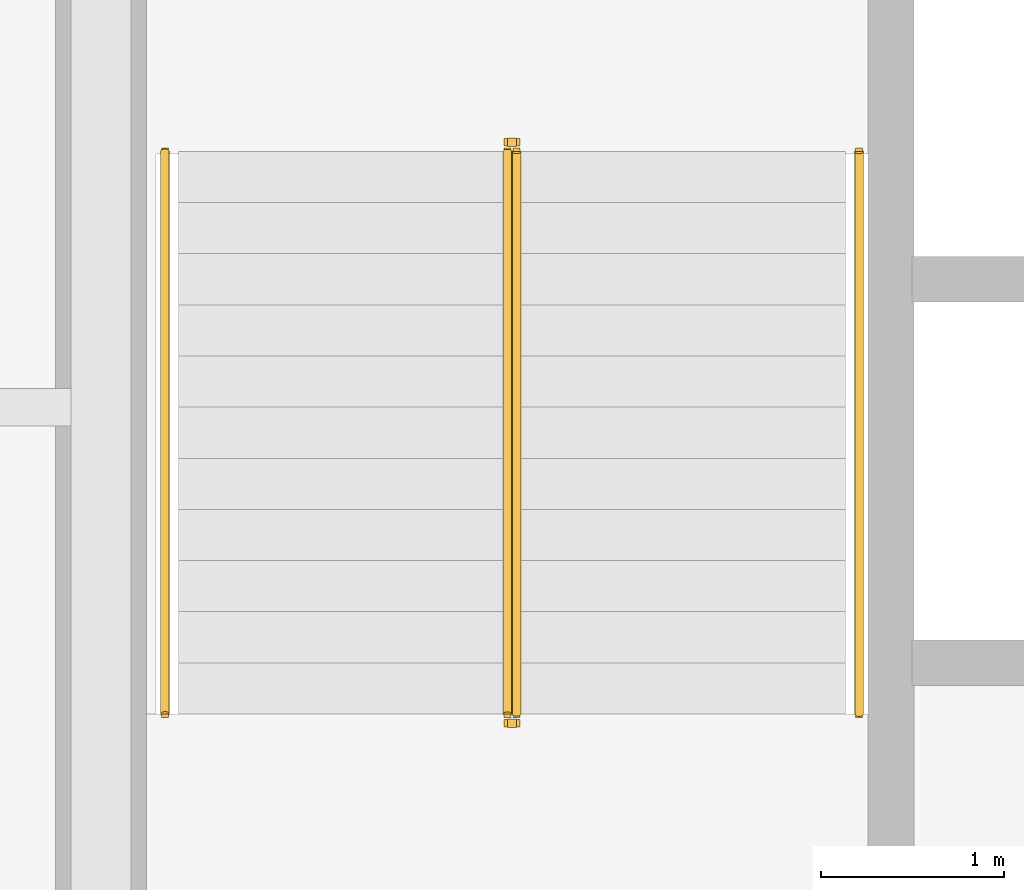
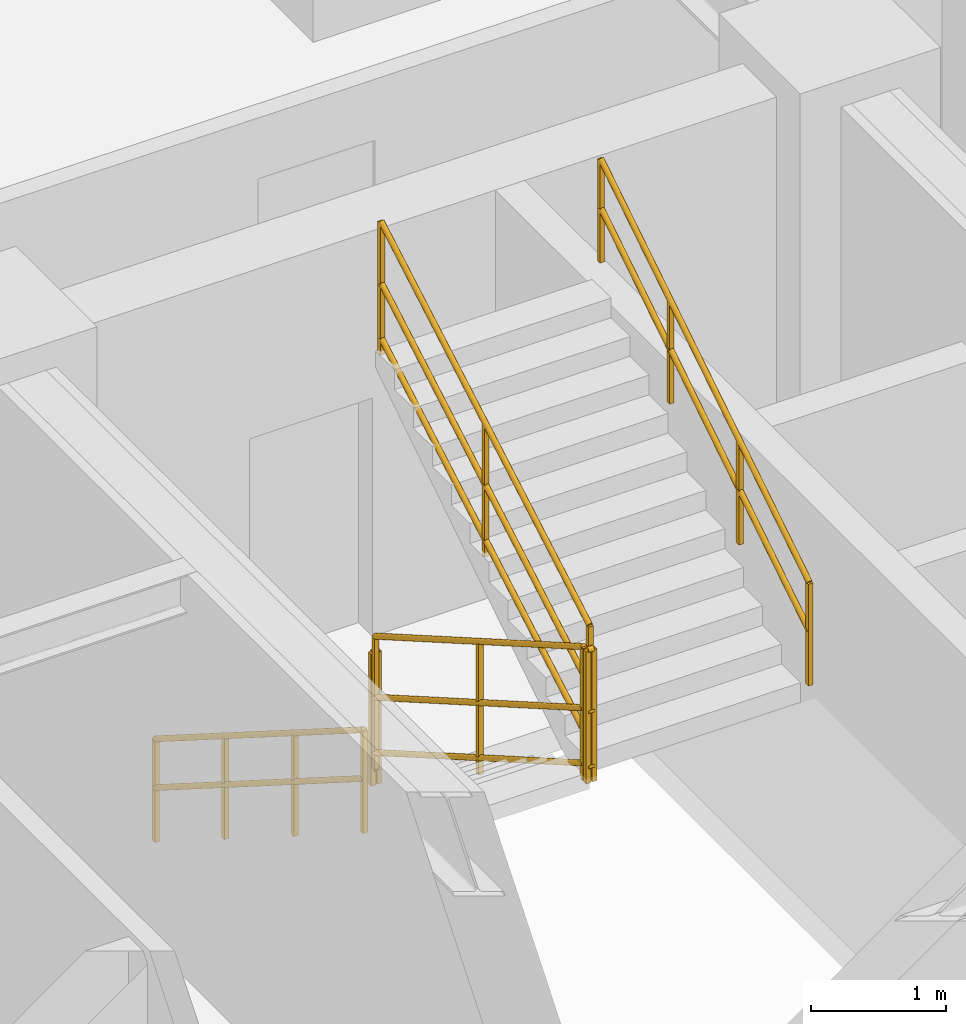
# One storey, part 9 of 9: 6 railings.
"""IFC4 building model written with IfcOpenShell, lengths in metres."""

from ifc_helpers import new_model, entity, si_unit, converted_unit, direction, frame, origin_with_axes, origin_2d_with_axis, place, context, subcontext, project, spatial, rectangle, circle, extrude, material, type_object, element, save


model = new_model("IFC4")

# Units and contexts
model_context = context("Model", 3, precision=1e-05, world=origin_with_axes(), true_north=direction((0.0, 1.0)))
body_context = subcontext(model_context, "Body", "Model", "MODEL_VIEW")
ifc_project = project(units=[si_unit("LENGTHUNIT", "METRE"), si_unit("AREAUNIT", "SQUARE_METRE"), si_unit("VOLUMEUNIT", "CUBIC_METRE"), converted_unit("PLANEANGLEUNIT", "DEGREE", entity("IfcPlaneAngleMeasure", 0.017453292519943295), si_unit("PLANEANGLEUNIT", "RADIAN"), dimensions=[0, 0, 0, 0, 0, 0, 0]), si_unit("MASSUNIT", "GRAM", prefix="KILO"), si_unit("THERMODYNAMICTEMPERATUREUNIT", "KELVIN")], contexts=[model_context])

# Site, building, storey
site_placement = place(None, origin_with_axes())
site = spatial("IfcSite", under=ifc_project, at=site_placement, CompositionType="ELEMENT")
building_placement = place(site_placement, origin_with_axes())
building = spatial("IfcBuilding", under=site, at=building_placement, Name="Varnlund Millrace Tower", CompositionType="ELEMENT")
storey_placement = place(building_placement, frame((0.0, 0.0, 108.6), z_axis=(0.0, 0.0, 1.0), x_axis=(1.0, 0.0, 0.0)))
storey = spatial("IfcBuildingStorey", under=building, at=storey_placement, Name="L26", CompositionType="ELEMENT", Elevation=108.6)

# Railings
ifc_material_1 = material(Name="Painted steel stair well balustrade guard", Category="steel")
railing_type_1 = type_object("IfcRailingType", Name="Type-StairGuard-1150", PredefinedType="GUARDRAIL", material=ifc_material_1)
railing_1_placement = place(storey_placement, frame((0.0, 0.0, -108.6), z_axis=(0.0, 0.0, 1.0), x_axis=(1.0, 0.0, 0.0)))
element("IfcRailing", 1, at=railing_1_placement, inside=storey, type_object=railing_type_1, Name="Type-StairGuard-1150", PredefinedType="GUARDRAIL", context=body_context, shape_type="SweptSolid", body=[
    extrude(circle(Radius=0.024, at=origin_2d_with_axis()), frame((13.625, 35.9, 109.927273), z_axis=(0.0, -0.866696, 0.498836), x_axis=(1.0, 0.0, 0.0)), (0.0, 0.0, 1.0), 3.553725),
    extrude(circle(Radius=0.024, at=origin_2d_with_axis()), frame((13.625, 35.9, 108.877273), z_axis=(0.0, -0.866696, 0.498836), x_axis=(1.0, 0.0, 0.0)), (0.0, 0.0, 1.0), 3.553725),
    extrude(circle(Radius=0.024, at=origin_2d_with_axis()), frame((13.625, 35.9, 109.375273), z_axis=(0.0, -0.866696, 0.498836), x_axis=(1.0, 0.0, 0.0)), (0.0, 0.0, 1.0), 3.553725),
    extrude(rectangle(XDim=0.04, YDim=0.04, at=origin_2d_with_axis()), frame((13.625, 35.9, 108.737273), z_axis=(0.0, 0.0, 1.0), x_axis=(1.0, 0.0, 0.0)), (0.0, 0.0, 1.0), 1.19),
    extrude(rectangle(XDim=0.04, YDim=0.04, at=origin_2d_with_axis()), frame((13.625, 34.36, 109.623636), z_axis=(0.0, 0.0, 1.0), x_axis=(1.0, 0.0, 0.0)), (0.0, 0.0, 1.0), 1.19),
    extrude(rectangle(XDim=0.04, YDim=0.04, at=origin_2d_with_axis()), frame((13.625, 32.82, 110.51), z_axis=(0.0, 0.0, 1.0), x_axis=(1.0, 0.0, 0.0)), (0.0, 0.0, 1.0), 1.19),
])
railing_2_placement = place(storey_placement, frame((0.0, 0.0, -108.6), z_axis=(0.0, 0.0, 1.0), x_axis=(1.0, 0.0, 0.0)))
element("IfcRailing", 2, at=railing_2_placement, inside=storey, type_object=railing_type_1, Name="Type-StairGuard-1150", PredefinedType="GUARDRAIL", context=body_context, shape_type="SweptSolid", body=[
    extrude(circle(Radius=0.024, at=origin_2d_with_axis()), frame((13.675, 32.77, 111.7), z_axis=(-1.0, 0.0, 0.0), x_axis=(0.0, -1.0, 0.0)), (0.0, 0.0, 1.0), 0.05),
    extrude(circle(Radius=0.024, at=origin_2d_with_axis()), frame((13.675, 32.77, 110.65), z_axis=(-1.0, 0.0, 0.0), x_axis=(0.0, -1.0, 0.0)), (0.0, 0.0, 1.0), 0.05),
    extrude(circle(Radius=0.024, at=origin_2d_with_axis()), frame((13.675, 32.77, 111.148), z_axis=(-1.0, 0.0, 0.0), x_axis=(0.0, -1.0, 0.0)), (0.0, 0.0, 1.0), 0.05),
    extrude(rectangle(XDim=0.04, YDim=0.04, at=origin_2d_with_axis()), frame((13.675, 32.77, 110.51), z_axis=(0.0, 0.0, 1.0), x_axis=(1.0, 0.0, 0.0)), (0.0, 0.0, 1.0), 1.19),
    extrude(rectangle(XDim=0.04, YDim=0.04, at=origin_2d_with_axis()), frame((13.625, 32.77, 110.51), z_axis=(0.0, 0.0, 1.0), x_axis=(1.0, 0.0, 0.0)), (0.0, 0.0, 1.0), 1.19),
])
railing_3_placement = place(storey_placement, frame((0.0, 0.0, -108.6), z_axis=(0.0, 0.0, 1.0), x_axis=(1.0, 0.0, 0.0)))
element("IfcRailing", 3, at=railing_3_placement, inside=storey, type_object=railing_type_1, Name="Type-StairGuard-1150", PredefinedType="GUARDRAIL", context=body_context, shape_type="SweptSolid", body=[
    extrude(circle(Radius=0.024, at=origin_2d_with_axis()), frame((13.675, 32.82, 111.877273), z_axis=(0.0, 0.866696, 0.498836), x_axis=(-1.0, 0.0, 0.0)), (0.0, 0.0, 1.0), 3.553725),
    extrude(circle(Radius=0.024, at=origin_2d_with_axis()), frame((13.675, 32.82, 110.827273), z_axis=(0.0, 0.866696, 0.498836), x_axis=(-1.0, 0.0, 0.0)), (0.0, 0.0, 1.0), 3.553725),
    extrude(circle(Radius=0.024, at=origin_2d_with_axis()), frame((13.675, 32.82, 111.325273), z_axis=(0.0, 0.866696, 0.498836), x_axis=(-1.0, 0.0, 0.0)), (0.0, 0.0, 1.0), 3.553725),
    extrude(rectangle(XDim=0.04, YDim=0.04, at=origin_2d_with_axis()), frame((13.675, 32.82, 110.687273), z_axis=(0.0, 0.0, 1.0), x_axis=(1.0, 0.0, 0.0)), (0.0, 0.0, 1.0), 1.19),
    extrude(rectangle(XDim=0.04, YDim=0.04, at=origin_2d_with_axis()), frame((13.675, 34.36, 111.573636), z_axis=(0.0, 0.0, 1.0), x_axis=(1.0, 0.0, 0.0)), (0.0, 0.0, 1.0), 1.19),
    extrude(rectangle(XDim=0.04, YDim=0.04, at=origin_2d_with_axis()), frame((13.675, 35.9, 112.46), z_axis=(0.0, 0.0, 1.0), x_axis=(1.0, 0.0, 0.0)), (0.0, 0.0, 1.0), 1.19),
])
railing_4_placement = place(storey_placement, frame((0.0, 0.0, -108.6), z_axis=(0.0, 0.0, 1.0), x_axis=(1.0, 0.0, 0.0)))
element("IfcRailing", 4, at=railing_4_placement, inside=storey, type_object=railing_type_1, Name="Type-StairGuard-1150", PredefinedType="GUARDRAIL", context=body_context, shape_type="SweptSolid", body=[
    extrude(circle(Radius=0.024, at=origin_2d_with_axis()), frame((13.675, 35.95, 109.75), z_axis=(-1.0, 0.0, 0.0), x_axis=(0.0, -1.0, 0.0)), (0.0, 0.0, 1.0), 0.05),
    extrude(circle(Radius=0.024, at=origin_2d_with_axis()), frame((13.675, 35.95, 108.7), z_axis=(-1.0, 0.0, 0.0), x_axis=(0.0, -1.0, 0.0)), (0.0, 0.0, 1.0), 0.05),
    extrude(circle(Radius=0.024, at=origin_2d_with_axis()), frame((13.675, 35.95, 109.198), z_axis=(-1.0, 0.0, 0.0), x_axis=(0.0, -1.0, 0.0)), (0.0, 0.0, 1.0), 0.05),
    extrude(rectangle(XDim=0.04, YDim=0.04, at=origin_2d_with_axis()), frame((13.675, 35.95, 108.56), z_axis=(0.0, 0.0, 1.0), x_axis=(1.0, 0.0, 0.0)), (0.0, 0.0, 1.0), 1.19),
    extrude(rectangle(XDim=0.04, YDim=0.04, at=origin_2d_with_axis()), frame((13.625, 35.95, 108.56), z_axis=(0.0, 0.0, 1.0), x_axis=(1.0, 0.0, 0.0)), (0.0, 0.0, 1.0), 1.19),
])
ifc_material_2 = material(Name="Brushed architectural bronze stair handrail", Category="aluminium")
railing_type_2 = type_object("IfcRailingType", Name="Type-StairHandrail-900", PredefinedType="HANDRAIL", material=ifc_material_2)
railing_5_placement = place(storey_placement, frame((0.0, 0.0, -108.6), z_axis=(0.0, 0.0, 1.0), x_axis=(1.0, 0.0, 0.0)))
element("IfcRailing", 5, at=railing_5_placement, inside=storey, type_object=railing_type_2, Name="Type-StairHandrail-900", PredefinedType="HANDRAIL", context=body_context, shape_type="SweptSolid", body=[
    extrude(circle(Radius=0.024, at=origin_2d_with_axis()), frame((11.75, 35.9, 109.656995), z_axis=(0.0, -0.844902, 0.534922), x_axis=(1.0, 0.0, 0.0)), (0.0, 0.0, 1.0), 3.645394),
    extrude(circle(Radius=0.024, at=origin_2d_with_axis()), frame((11.75, 35.9, 109.217134), z_axis=(0.0, -0.844902, 0.534922), x_axis=(1.0, 0.0, 0.0)), (0.0, 0.0, 1.0), 3.645394),
    extrude(rectangle(XDim=0.04, YDim=0.04, at=origin_2d_with_axis()), frame((11.75, 35.9, 108.737273), z_axis=(0.0, 0.0, 1.0), x_axis=(1.0, 0.0, 0.0)), (0.0, 0.0, 1.0), 0.919722),
    extrude(rectangle(XDim=0.04, YDim=0.04, at=origin_2d_with_axis()), frame((11.75, 34.873333, 109.387273), z_axis=(0.0, 0.0, 1.0), x_axis=(1.0, 0.0, 0.0)), (0.0, 0.0, 1.0), 0.919722),
    extrude(rectangle(XDim=0.04, YDim=0.04, at=origin_2d_with_axis()), frame((11.75, 33.846667, 110.037273), z_axis=(0.0, 0.0, 1.0), x_axis=(1.0, 0.0, 0.0)), (0.0, 0.0, 1.0), 0.919722),
    extrude(rectangle(XDim=0.04, YDim=0.04, at=origin_2d_with_axis()), frame((11.75, 32.82, 110.687273), z_axis=(0.0, 0.0, 1.0), x_axis=(1.0, 0.0, 0.0)), (0.0, 0.0, 1.0), 0.919722),
])
railing_6_placement = place(storey_placement, frame((0.0, 0.0, -108.6), z_axis=(0.0, 0.0, 1.0), x_axis=(1.0, 0.0, 0.0)))
element("IfcRailing", 6, at=railing_6_placement, inside=storey, type_object=railing_type_2, Name="Type-StairHandrail-900", PredefinedType="HANDRAIL", context=body_context, shape_type="SweptSolid", body=[
    extrude(circle(Radius=0.024, at=origin_2d_with_axis()), frame((15.55, 32.82, 111.606995), z_axis=(0.0, 0.844902, 0.534922), x_axis=(-1.0, 0.0, 0.0)), (0.0, 0.0, 1.0), 3.645394),
    extrude(circle(Radius=0.024, at=origin_2d_with_axis()), frame((15.55, 32.82, 111.167134), z_axis=(0.0, 0.844902, 0.534922), x_axis=(-1.0, 0.0, 0.0)), (0.0, 0.0, 1.0), 3.645394),
    extrude(rectangle(XDim=0.04, YDim=0.04, at=origin_2d_with_axis()), frame((15.55, 32.82, 110.687273), z_axis=(0.0, 0.0, 1.0), x_axis=(1.0, 0.0, 0.0)), (0.0, 0.0, 1.0), 0.919722),
    extrude(rectangle(XDim=0.04, YDim=0.04, at=origin_2d_with_axis()), frame((15.55, 33.846667, 111.337273), z_axis=(0.0, 0.0, 1.0), x_axis=(1.0, 0.0, 0.0)), (0.0, 0.0, 1.0), 0.919722),
    extrude(rectangle(XDim=0.04, YDim=0.04, at=origin_2d_with_axis()), frame((15.55, 34.873333, 111.987273), z_axis=(0.0, 0.0, 1.0), x_axis=(1.0, 0.0, 0.0)), (0.0, 0.0, 1.0), 0.919722),
    extrude(rectangle(XDim=0.04, YDim=0.04, at=origin_2d_with_axis()), frame((15.55, 35.9, 112.637273), z_axis=(0.0, 0.0, 1.0), x_axis=(1.0, 0.0, 0.0)), (0.0, 0.0, 1.0), 0.919722),
])

save(model, "model.ifc")
